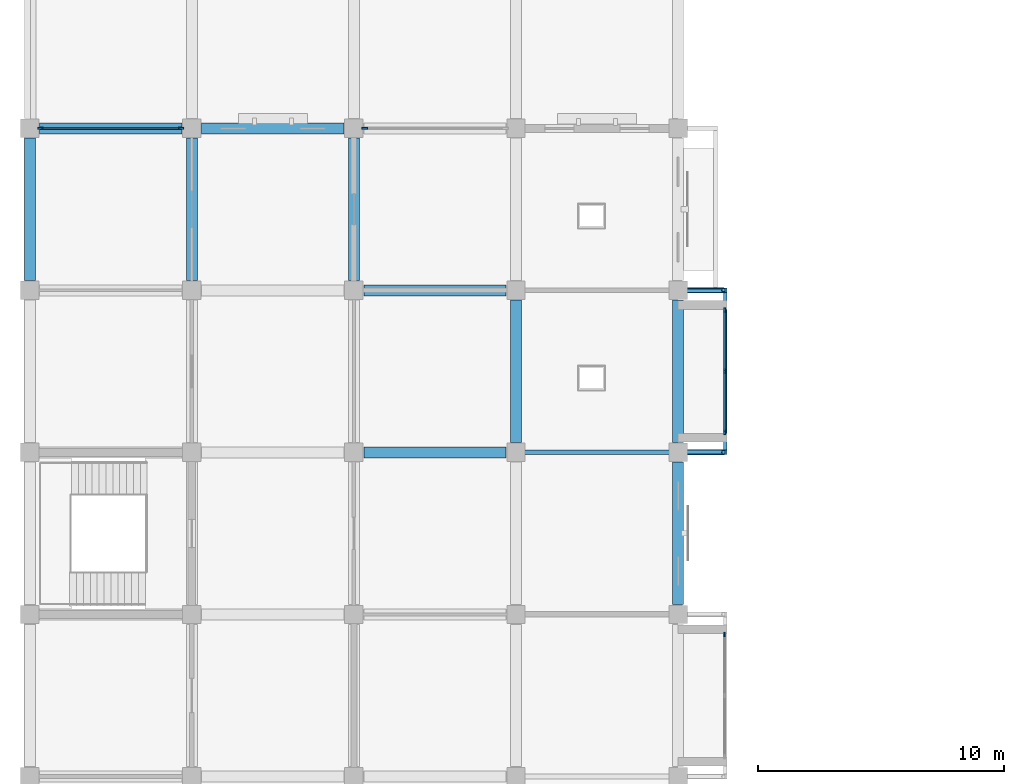
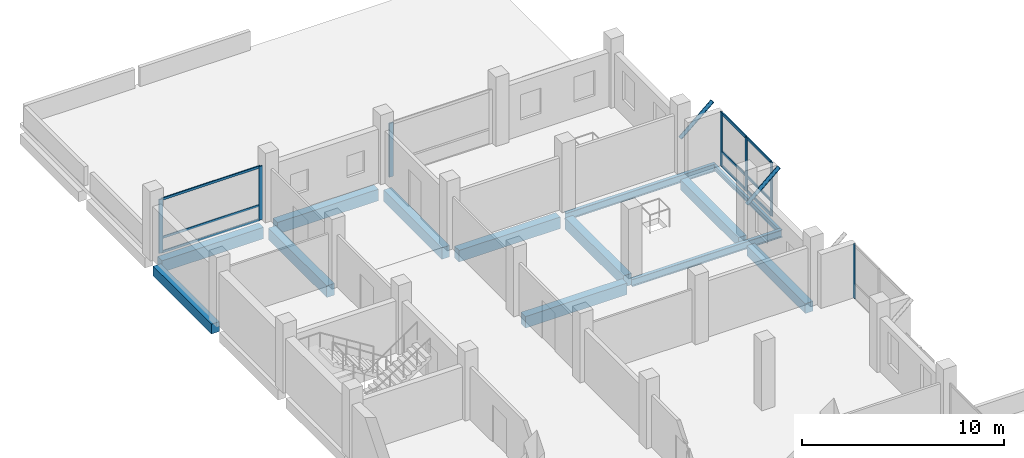
# One storey, part 10 of 23: 18 members, 13 beams, 4 elements without a shape of their own.
"""IFC4 building model written with IfcOpenShell, lengths in metres."""

from ifc_helpers import new_model, si_unit, direction, frame, origin, origin_2d, place, context, subcontext, project, spatial, rectangle, hollow_circle, i_section, extrude, material, material_profile, profile_set, type_object, element, aggregate, save


model = new_model("IFC4")

# Units and contexts
model_context = context("Model", 3, precision=1e-05, world=origin(), true_north=direction((0.0, 1.0)))
body_context = subcontext(model_context, "Body", "Model", "MODEL_VIEW")
ifc_project = project(units=[si_unit("LENGTHUNIT", "METRE"), si_unit("AREAUNIT", "SQUARE_METRE"), si_unit("VOLUMEUNIT", "CUBIC_METRE"), si_unit("PLANEANGLEUNIT", "RADIAN"), si_unit("MASSUNIT", "GRAM", prefix="KILO")], contexts=[model_context])

# Site, building, storey
site_placement = place(None, origin())
site = spatial("IfcSite", under=ifc_project, at=site_placement, CompositionType="ELEMENT")
building_placement = place(site_placement, origin())
building = spatial("IfcBuilding", under=site, at=building_placement, Name="Rusizi Kubbe Research Institute", CompositionType="ELEMENT")
storey_placement = place(building_placement, frame((0.0, 0.0, 18.60009765625)))
storey = spatial("IfcBuildingStorey", under=building, at=storey_placement, Name="L04", CompositionType="ELEMENT", Elevation=18.60009765625)

# Beams
ifc_material_1 = material(Name="Steel S355", Category="steel")
ifc_material_profile_1 = material_profile(ifc_material_1, i_section(OverallWidth=0.14990234375, OverallDepth=0.300048828125, WebThickness=0.007080078125, FlangeThickness=0.0107421875, at=origin_2d()), Name="IPE 300")
ifc_profile_set_1 = profile_set([ifc_material_profile_1], Name="Steel S355")
beam_type_1 = type_object("IfcBeamType", Name="BM-IPE300", PredefinedType="BEAM", material=ifc_profile_set_1)
beam_1_placement = place(storey_placement, frame((28.324951171875, 72.695068359375, -0.489990234375), z_axis=(0.0, 1.0, 0.0), x_axis=(-1.0, 0.0, 0.0)))
element("IfcBeam", 1, at=beam_1_placement, inside=storey, type_object=beam_type_1, Name="Cumba Edge Tie Beam L04-2", PredefinedType="BEAM", context=body_context, shape_type="SweptSolid", body=[
    extrude(i_section(OverallWidth=0.14990234375, OverallDepth=0.300048828125, WebThickness=0.007080078125, FlangeThickness=0.0107421875, at=origin_2d()), origin(), (0.0, 0.0, 1.0), 6.409912109375),
])
ifc_material_2 = material(Name="Steel S355", Category="steel")
ifc_material_profile_2 = material_profile(ifc_material_2, i_section(OverallWidth=0.18994140625, OverallDepth=0.449951171875, WebThickness=0.009521484375, FlangeThickness=0.0146484375, at=origin_2d()), Name="IPE 450")
ifc_profile_set_2 = profile_set([ifc_material_profile_2], Name="Steel S355")
beam_type_2 = type_object("IfcBeamType", Name="BM-IPE450", PredefinedType="BEAM", material=ifc_profile_set_2)
for number, where, z_axis, x_axis, name in (
    (2, (19.800048828125, 72.60009765625, -0.565185546875), (1.0, 0.0, 0.0), (0.0, 1.0, 0.0), "Cumba Back-Spanned Cantilever Beam L04-2S"),
    (3, (19.800048828125, 79.199951171875, -0.565185546875), (1.0, 0.0, 0.0), (0.0, 1.0, 0.0), "Cumba Back-Spanned Cantilever Beam L04-2N"),
):
    element("IfcBeam", number, at=place(storey_placement, frame(where, z_axis=z_axis, x_axis=x_axis)), inside=storey, type_object=beam_type_2, Name=name, PredefinedType="BEAM", context=body_context, shape_type="SweptSolid", body=[
        extrude(i_section(OverallWidth=0.18994140625, OverallDepth=0.449951171875, WebThickness=0.009521484375, FlangeThickness=0.0146484375, at=origin_2d()), origin(), (0.0, 0.0, 1.0), 8.599853515625),
    ])
ifc_material_3 = material(Name="Concrete C40/50", Category="concrete")
ifc_material_profile_3 = material_profile(ifc_material_3, rectangle(XDim=0.449951171875, YDim=0.60009765625, at=origin_2d()), Name="RC450x600")
ifc_profile_set_3 = profile_set([ifc_material_profile_3], Name="Concrete C40/50")
beam_type_3 = type_object("IfcBeamType", Name="BM-RC450x600", PredefinedType="SPANDREL", material=ifc_profile_set_3)
beam_2_placement = place(storey_placement, frame((0.0, 79.60009765625, -0.64013671875), z_axis=(0.0, 1.0, 0.0), x_axis=(-1.0, 0.0, 0.0)))
element("IfcBeam", 4, at=beam_2_placement, inside=storey, type_object=beam_type_3, Name="Grid Beam V L04 (0,12)", PredefinedType="SPANDREL", context=body_context, shape_type="SweptSolid", body=[
    extrude(rectangle(XDim=0.449951171875, YDim=0.60009765625, at=origin_2d()), origin(), (0.0, 0.0, 1.0), 5.7998046875),
])
for number, where, z_axis, x_axis, name in (
    (5, (26.39990234375, 66.39990234375, -0.64013671875), (0.0, 1.0, 0.0), (-1.0, 0.0, 0.0), "Grid Beam V L04 (4,10)"),
    (6, (26.39990234375, 73.0, -0.64013671875), (0.0, 1.0, 0.0), (-1.0, 0.0, 0.0), "Grid Beam V L04 (4,11)"),
):
    element("IfcBeam", number, at=place(storey_placement, frame(where, z_axis=z_axis, x_axis=x_axis)), inside=storey, type_object=beam_type_3, Name=name, PredefinedType="SPANDREL", context=body_context, shape_type="SweptSolid", body=[
        extrude(rectangle(XDim=0.449951171875, YDim=0.60009765625, at=origin_2d()), origin(), (0.0, 0.0, 1.0), 5.800048828125),
    ])
ifc_material_4 = material(Name="Concrete C40/50", Category="concrete")
ifc_material_profile_4 = material_profile(ifc_material_4, rectangle(XDim=0.449951171875, YDim=0.699951171875, at=origin_2d()), Name="RC450x700B")
ifc_profile_set_4 = profile_set([ifc_material_profile_4], Name="Concrete C40/50")
beam_type_4 = type_object("IfcBeamType", Name="BM-RC450x700", PredefinedType="BEAM", material=ifc_profile_set_4)
for number, where, z_axis, x_axis, name in (
    (7, (0.39990234375, 85.800048828125, -0.690185546875), (1.0, 0.0, 0.0), (0.0, 1.0, 0.0), "Grid Beam H L04 (0,13)"),
    (8, (7.0, 85.800048828125, -0.690185546875), (1.0, 0.0, 0.0), (0.0, 1.0, 0.0), "Grid Beam H L04 (1,13)"),
):
    element("IfcBeam", number, at=place(storey_placement, frame(where, z_axis=z_axis, x_axis=x_axis)), inside=storey, type_object=beam_type_4, Name=name, PredefinedType="BEAM", context=body_context, shape_type="SweptSolid", body=[
        extrude(rectangle(XDim=0.449951171875, YDim=0.699951171875, at=origin_2d()), origin(), (0.0, 0.0, 1.0), 5.800048828125),
    ])
for number, where, z_axis, x_axis, name in (
    (9, (13.60009765625, 72.60009765625, -0.690185546875), (1.0, 0.0, 0.0), (0.0, 1.0, 0.0), "Grid Beam H L04 (2,11)"),
    (10, (13.60009765625, 79.199951171875, -0.690185546875), (1.0, 0.0, 0.0), (0.0, 1.0, 0.0), "Grid Beam H L04 (2,12)"),
    (11, (6.60009765625, 79.60009765625, -0.690185546875), (0.0, 1.0, 0.0), (-1.0, 0.0, 0.0), "Grid Beam V L04 (1,12)"),
    (12, (13.199951171875, 79.60009765625, -0.690185546875), (0.0, 1.0, 0.0), (-1.0, 0.0, 0.0), "Grid Beam V L04 (2,12)"),
):
    element("IfcBeam", number, at=place(storey_placement, frame(where, z_axis=z_axis, x_axis=x_axis)), inside=storey, type_object=beam_type_4, Name=name, PredefinedType="BEAM", context=body_context, shape_type="SweptSolid", body=[
        extrude(rectangle(XDim=0.449951171875, YDim=0.699951171875, at=origin_2d()), origin(), (0.0, 0.0, 1.0), 5.7998046875),
    ])
beam_3_placement = place(storey_placement, frame((19.800048828125, 73.0, -0.690185546875), z_axis=(0.0, 1.0, 0.0), x_axis=(-1.0, 0.0, 0.0)))
element("IfcBeam", 13, at=beam_3_placement, inside=storey, type_object=beam_type_4, Name="Grid Beam V L04 (3,11)", PredefinedType="BEAM", context=body_context, shape_type="SweptSolid", body=[
    extrude(rectangle(XDim=0.449951171875, YDim=0.699951171875, at=origin_2d()), origin(), (0.0, 0.0, 1.0), 5.800048828125),
])

# Members
ifc_material_5 = material(Name="Steel S355", Category="steel")
ifc_material_profile_5 = material_profile(ifc_material_5, hollow_circle(Radius=0.109619140625, WallThickness=0.008056640625, at=origin_2d()), Name="CHS 219.1x8.0")
ifc_profile_set_5 = profile_set([ifc_material_profile_5], Name="Steel S355")
member_type_1 = type_object("IfcMemberType", Name="MB-CHS219", PredefinedType="BRACE", material=ifc_profile_set_5)
for number, where, z_axis, x_axis, name in (
    (14, (26.39990234375, 72.60009765625, 1.85986328125), (0.756360503059, 0.0, 0.654155019405), (0.0, 1.0, 0.0), "Cumba Diagonal Corbel Brace L05-2S"),
    (15, (26.39990234375, 79.199951171875, 1.85986328125), (0.756360503059, 0.0, 0.654155019405), (0.0, 1.0, 0.0), "Cumba Diagonal Corbel Brace L05-2N"),
):
    element("IfcMember", number, at=place(storey_placement, frame(where, z_axis=z_axis, x_axis=x_axis)), inside=storey, type_object=member_type_1, Name=name, PredefinedType="BRACE", context=body_context, shape_type="SweptSolid", body=[
        extrude(hollow_circle(Radius=0.109619140625, WallThickness=0.008056640625, at=origin_2d()), origin(), (0.0, 0.0, 1.0), 2.446044921875),
    ])

# Curtain wall, member
ifc_material_6 = material(Name="Thermally Broken Aluminium and Low-E Glazing", Category="aluminium")
curtain_wall_type_1 = type_object("IfcCurtainWallType", Name="CW-01", PredefinedType="NOTDEFINED", material=ifc_material_6)
curtain_wall_1_placement = place(storey_placement, origin())
curtain_wall_1 = element("IfcCurtainWall", 16, at=curtain_wall_1_placement, inside=storey, type_object=curtain_wall_type_1, Name="Cumba Glazed Curtain Wall CW-CUMBA-L04-049", PredefinedType="NOTDEFINED")
ifc_material_7 = material(Name="Aluminium Alloy 6063-T6", Category="aluminium")
ifc_material_profile_6 = material_profile(ifc_material_7, rectangle(XDim=0.06005859375, YDim=0.179931640625, at=origin_2d()), Name="ALU-M 60x180")
ifc_profile_set_6 = profile_set([ifc_material_profile_6], Name="Aluminium Alloy 6063-T6")
member_type_2 = type_object("IfcMemberType", Name="ML-02", PredefinedType="MULLION", material=ifc_profile_set_6)
member_1_placement = place(storey_placement, frame((28.300048828125, 65.1875, 0.0), z_axis=(0.0, 0.0, 1.0), x_axis=(-1.0, 0.0, 0.0)))
member_1 = element("IfcMember", 17, at=member_1_placement, type_object=member_type_2, Name="CW-01 mullion 3", PredefinedType="MULLION", context=body_context, shape_type="SweptSolid", body=[
    extrude(rectangle(XDim=0.06005859375, YDim=0.179931640625, at=origin_2d()), origin(), (0.0, 0.0, 1.0), 3.260009765625),
])
aggregate(curtain_wall_1, [member_1])

# Curtain wall, members
curtain_wall_2_placement = place(storey_placement, origin())
curtain_wall_2 = element("IfcCurtainWall", 18, at=curtain_wall_2_placement, inside=storey, type_object=curtain_wall_type_1, Name="Cumba Glazed Curtain Wall CW-CUMBA-L04-050", PredefinedType="NOTDEFINED")
ifc_material_8 = material(Name="Aluminium Alloy 6063-T6", Category="aluminium")
ifc_material_profile_7 = material_profile(ifc_material_8, rectangle(XDim=0.06494140625, YDim=0.199951171875, at=origin_2d()), Name="ALU-M 65x200")
ifc_profile_set_7 = profile_set([ifc_material_profile_7], Name="Aluminium Alloy 6063-T6")
member_type_3 = type_object("IfcMemberType", Name="ML-03", PredefinedType="MULLION", material=ifc_profile_set_7)
member_2_placement = place(storey_placement, frame((28.300048828125, 73.4150390625, 0.0), z_axis=(0.0, 0.0, 1.0), x_axis=(-1.0, 0.0, 0.0)))
member_2 = element("IfcMember", 19, at=member_2_placement, type_object=member_type_3, Name="CW-01 mullion 1", PredefinedType="MULLION", context=body_context, shape_type="SweptSolid", body=[
    extrude(rectangle(XDim=0.06494140625, YDim=0.199951171875, at=origin_2d()), origin(), (0.0, 0.0, 1.0), 3.260009765625),
])
member_3_placement = place(storey_placement, frame((28.300048828125, 75.89990234375, 0.0), z_axis=(0.0, 0.0, 1.0), x_axis=(-1.0, 0.0, 0.0)))
member_3 = element("IfcMember", 20, at=member_3_placement, type_object=member_type_3, Name="CW-01 mullion 2", PredefinedType="MULLION", context=body_context, shape_type="SweptSolid", body=[
    extrude(rectangle(XDim=0.06494140625, YDim=0.199951171875, at=origin_2d()), origin(), (0.0, 0.0, 1.0), 3.260009765625),
])
member_4_placement = place(storey_placement, frame((28.300048828125, 78.385009765625, 0.0), z_axis=(0.0, 0.0, 1.0), x_axis=(-1.0, 0.0, 0.0)))
member_4 = element("IfcMember", 21, at=member_4_placement, type_object=member_type_3, Name="CW-01 mullion 3", PredefinedType="MULLION", context=body_context, shape_type="SweptSolid", body=[
    extrude(rectangle(XDim=0.06494140625, YDim=0.199951171875, at=origin_2d()), origin(), (0.0, 0.0, 1.0), 3.260009765625),
])

ifc_material_9 = material(Name="Thermally Broken Aluminium and Low-E Glazing", Category="aluminium")
curtain_wall_type_2 = type_object("IfcCurtainWallType", Name="CW-07", PredefinedType="NOTDEFINED", material=ifc_material_9)
curtain_wall_3_placement = place(storey_placement, origin())
curtain_wall_3 = element("IfcCurtainWall", 22, at=curtain_wall_3_placement, inside=storey, type_object=curtain_wall_type_2, Name="Unitised Facade Curtain Wall CW-L04-H-00-13", PredefinedType="NOTDEFINED")
ifc_material_10 = material(Name="Aluminium Alloy 6063-T6", Category="aluminium")
ifc_material_profile_8 = material_profile(ifc_material_10, rectangle(XDim=0.070068359375, YDim=0.219970703125, at=origin_2d()), Name="ALU-M 70x220")
ifc_profile_set_8 = profile_set([ifc_material_profile_8], Name="Aluminium Alloy 6063-T6")
member_type_4 = type_object("IfcMemberType", Name="ML-04", PredefinedType="MULLION", material=ifc_profile_set_8)
member_5_placement = place(storey_placement, frame((0.43994140625, 85.800048828125, 0.0), z_axis=(0.0, 0.0, 1.0), x_axis=(0.0, 1.0, 0.0)))
member_5 = element("IfcMember", 23, at=member_5_placement, type_object=member_type_4, Name="CW-07 mullion 1", PredefinedType="MULLION", context=body_context, shape_type="SweptSolid", body=[
    extrude(rectangle(XDim=0.070068359375, YDim=0.219970703125, at=origin_2d()), origin(), (0.0, 0.0, 1.0), 3.260009765625),
])
member_6_placement = place(storey_placement, frame((6.159912109375, 85.800048828125, 0.0), z_axis=(0.0, 0.0, 1.0), x_axis=(0.0, 1.0, 0.0)))
member_6 = element("IfcMember", 24, at=member_6_placement, type_object=member_type_4, Name="CW-07 mullion 2", PredefinedType="MULLION", context=body_context, shape_type="SweptSolid", body=[
    extrude(rectangle(XDim=0.070068359375, YDim=0.219970703125, at=origin_2d()), origin(), (0.0, 0.0, 1.0), 3.260009765625),
])

# Curtain wall, member
curtain_wall_4_placement = place(storey_placement, origin())
curtain_wall_4 = element("IfcCurtainWall", 25, at=curtain_wall_4_placement, inside=storey, type_object=curtain_wall_type_2, Name="Unitised Facade Curtain Wall CW-L04-H-02-13", PredefinedType="NOTDEFINED")
ifc_material_11 = material(Name="Aluminium Alloy 6063-T6", Category="aluminium")
ifc_material_profile_9 = material_profile(ifc_material_11, rectangle(XDim=0.074951171875, YDim=0.25, at=origin_2d()), Name="ALU-M 75x250")
ifc_profile_set_9 = profile_set([ifc_material_profile_9], Name="Aluminium Alloy 6063-T6")
member_type_5 = type_object("IfcMemberType", Name="ML-05", PredefinedType="MULLION", material=ifc_profile_set_9)
member_7_placement = place(storey_placement, frame((13.642578125, 85.800048828125, 0.0), z_axis=(0.0, 0.0, 1.0), x_axis=(0.0, 1.0, 0.0)))
member_7 = element("IfcMember", 26, at=member_7_placement, type_object=member_type_5, Name="CW-07 mullion 1", PredefinedType="MULLION", context=body_context, shape_type="SweptSolid", body=[
    extrude(rectangle(XDim=0.074951171875, YDim=0.25, at=origin_2d()), origin(), (0.0, 0.0, 1.0), 3.260009765625),
])
aggregate(curtain_wall_4, [member_7])

# Member
ifc_material_12 = material(Name="Aluminium Alloy 6063-T6", Category="aluminium")
ifc_material_profile_10 = material_profile(ifc_material_12, rectangle(XDim=0.06005859375, YDim=0.139892578125, at=origin_2d()), Name="ALU-T 60x140")
ifc_profile_set_10 = profile_set([ifc_material_profile_10], Name="Aluminium Alloy 6063-T6")
member_type_6 = type_object("IfcMemberType", Name="TR-02", PredefinedType="USERDEFINED", material=ifc_profile_set_10)
member_8_placement = place(storey_placement, frame((0.47509765625, 85.800048828125, 0.02978515625), z_axis=(1.0, 0.0, 0.0), x_axis=(0.0, 1.0, 0.0)))
member_8 = element("IfcMember", 27, at=member_8_placement, type_object=member_type_6, Name="CW-07 transom 1.1", ObjectType="TRANSOM", PredefinedType="USERDEFINED", context=body_context, shape_type="SweptSolid", body=[
    extrude(rectangle(XDim=0.06005859375, YDim=0.139892578125, at=origin_2d()), origin(), (0.0, 0.0, 1.0), 5.64990234375),
])

member_9_placement = place(storey_placement, frame((0.47509765625, 85.800048828125, 0.89990234375), z_axis=(1.0, 0.0, 0.0), x_axis=(0.0, 1.0, 0.0)))
member_9 = element("IfcMember", 28, at=member_9_placement, type_object=member_type_6, Name="CW-07 transom 1.2", ObjectType="TRANSOM", PredefinedType="USERDEFINED", context=body_context, shape_type="SweptSolid", body=[
    extrude(rectangle(XDim=0.06005859375, YDim=0.139892578125, at=origin_2d()), origin(), (0.0, 0.0, 1.0), 5.64990234375),
])

member_10_placement = place(storey_placement, frame((0.47509765625, 85.800048828125, 3.22998046875), z_axis=(1.0, 0.0, 0.0), x_axis=(0.0, 1.0, 0.0)))
member_10 = element("IfcMember", 29, at=member_10_placement, type_object=member_type_6, Name="CW-07 transom 1.3", ObjectType="TRANSOM", PredefinedType="USERDEFINED", context=body_context, shape_type="SweptSolid", body=[
    extrude(rectangle(XDim=0.06005859375, YDim=0.139892578125, at=origin_2d()), origin(), (0.0, 0.0, 1.0), 5.64990234375),
])

aggregate(curtain_wall_3, [member_5, member_6, member_8, member_9, member_10])

ifc_material_13 = material(Name="Aluminium Alloy 6063-T6", Category="aluminium")
ifc_material_profile_11 = material_profile(ifc_material_13, rectangle(XDim=0.06494140625, YDim=0.159912109375, at=origin_2d()), Name="ALU-T 65x160")
ifc_profile_set_11 = profile_set([ifc_material_profile_11], Name="Aluminium Alloy 6063-T6")
member_type_7 = type_object("IfcMemberType", Name="TR-03", PredefinedType="USERDEFINED", material=ifc_profile_set_11)
member_11_placement = place(storey_placement, frame((28.300048828125, 73.447509765625, 0.032470703125), z_axis=(0.0, 1.0, 0.0), x_axis=(-1.0, 0.0, 0.0)))
member_11 = element("IfcMember", 30, at=member_11_placement, type_object=member_type_7, Name="CW-01 transom 1.1", ObjectType="TRANSOM", PredefinedType="USERDEFINED", context=body_context, shape_type="SweptSolid", body=[
    extrude(rectangle(XDim=0.06494140625, YDim=0.159912109375, at=origin_2d()), origin(), (0.0, 0.0, 1.0), 2.419921875),
])

member_12_placement = place(storey_placement, frame((28.300048828125, 73.447509765625, 0.89990234375), z_axis=(0.0, 1.0, 0.0), x_axis=(-1.0, 0.0, 0.0)))
member_12 = element("IfcMember", 31, at=member_12_placement, type_object=member_type_7, Name="CW-01 transom 1.2", ObjectType="TRANSOM", PredefinedType="USERDEFINED", context=body_context, shape_type="SweptSolid", body=[
    extrude(rectangle(XDim=0.06494140625, YDim=0.159912109375, at=origin_2d()), origin(), (0.0, 0.0, 1.0), 2.419921875),
])

member_13_placement = place(storey_placement, frame((28.300048828125, 73.447509765625, 3.227294921875), z_axis=(0.0, 1.0, 0.0), x_axis=(-1.0, 0.0, 0.0)))
member_13 = element("IfcMember", 32, at=member_13_placement, type_object=member_type_7, Name="CW-01 transom 1.3", ObjectType="TRANSOM", PredefinedType="USERDEFINED", context=body_context, shape_type="SweptSolid", body=[
    extrude(rectangle(XDim=0.06494140625, YDim=0.159912109375, at=origin_2d()), origin(), (0.0, 0.0, 1.0), 2.419921875),
])

member_14_placement = place(storey_placement, frame((28.300048828125, 75.9326171875, 0.032470703125), z_axis=(0.0, 1.0, 0.0), x_axis=(-1.0, 0.0, 0.0)))
member_14 = element("IfcMember", 33, at=member_14_placement, type_object=member_type_7, Name="CW-01 transom 2.1", ObjectType="TRANSOM", PredefinedType="USERDEFINED", context=body_context, shape_type="SweptSolid", body=[
    extrude(rectangle(XDim=0.06494140625, YDim=0.159912109375, at=origin_2d()), origin(), (0.0, 0.0, 1.0), 2.419921875),
])

member_15_placement = place(storey_placement, frame((28.300048828125, 75.9326171875, 0.89990234375), z_axis=(0.0, 1.0, 0.0), x_axis=(-1.0, 0.0, 0.0)))
member_15 = element("IfcMember", 34, at=member_15_placement, type_object=member_type_7, Name="CW-01 transom 2.2", ObjectType="TRANSOM", PredefinedType="USERDEFINED", context=body_context, shape_type="SweptSolid", body=[
    extrude(rectangle(XDim=0.06494140625, YDim=0.159912109375, at=origin_2d()), origin(), (0.0, 0.0, 1.0), 2.419921875),
])

member_16_placement = place(storey_placement, frame((28.300048828125, 75.9326171875, 3.227294921875), z_axis=(0.0, 1.0, 0.0), x_axis=(-1.0, 0.0, 0.0)))
member_16 = element("IfcMember", 35, at=member_16_placement, type_object=member_type_7, Name="CW-01 transom 2.3", ObjectType="TRANSOM", PredefinedType="USERDEFINED", context=body_context, shape_type="SweptSolid", body=[
    extrude(rectangle(XDim=0.06494140625, YDim=0.159912109375, at=origin_2d()), origin(), (0.0, 0.0, 1.0), 2.419921875),
])

aggregate(curtain_wall_2, [member_2, member_3, member_4, member_11, member_12, member_13, member_14, member_15, member_16])

save(model, "model.ifc")
